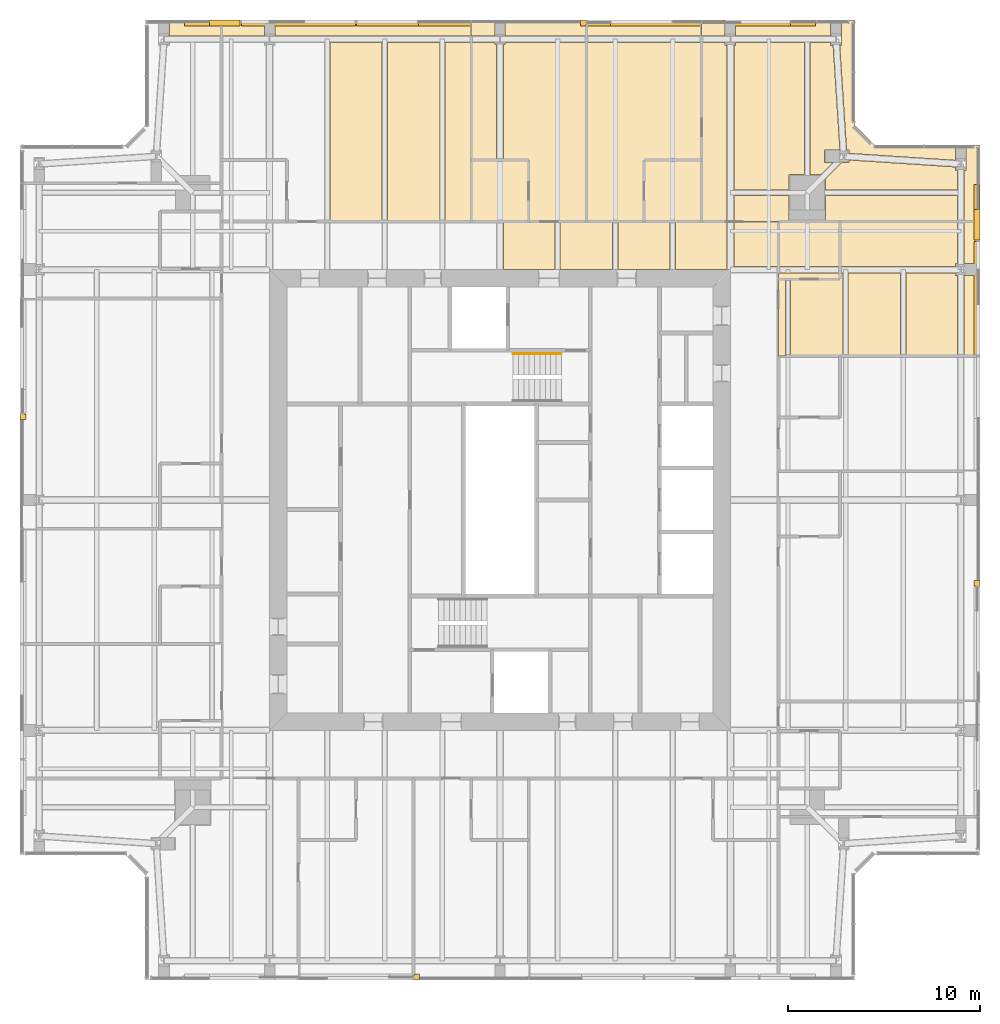
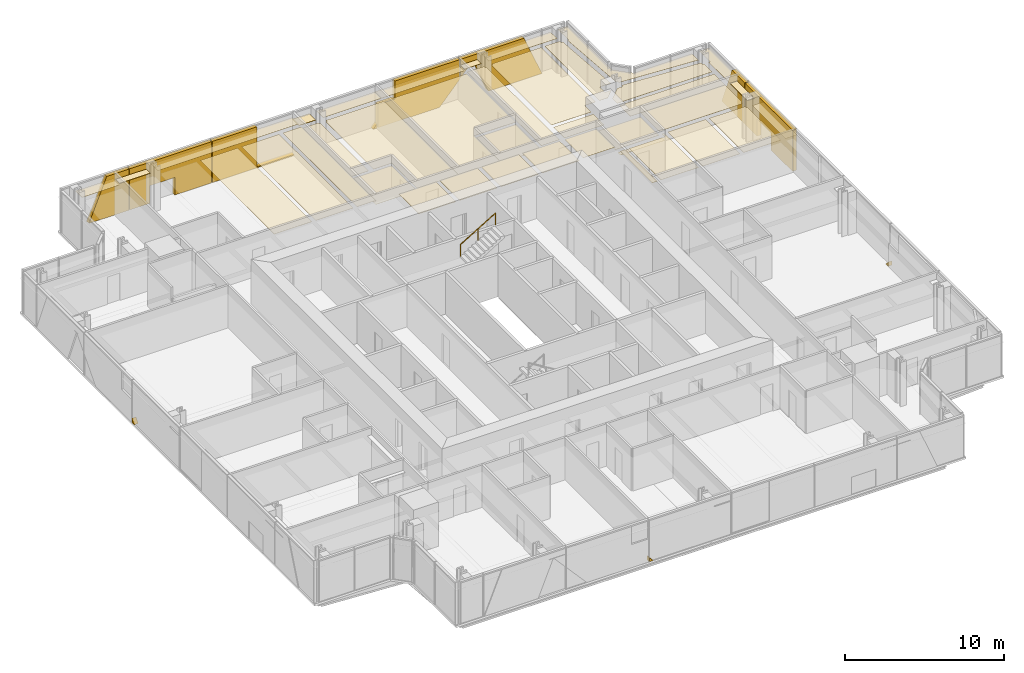
# One storey, part 18 of 18: 49 coverings, 1 railing.
"""IFC4 building model written with IfcOpenShell, lengths in metres."""

from ifc_helpers import new_model, si_unit, direction, frame, origin, origin_2d, place, context, subcontext, project, spatial, polyline, circle, outline, extrude, material, layer, layer_set, type_object, element, save


model = new_model("IFC4")

# Units and contexts
model_context = context("Model", 3, precision=1e-05, world=origin(), true_north=direction((0.0, 1.0)))
body_context = subcontext(model_context, "Body", "Model", "MODEL_VIEW")
ifc_project = project(units=[si_unit("LENGTHUNIT", "METRE"), si_unit("AREAUNIT", "SQUARE_METRE"), si_unit("VOLUMEUNIT", "CUBIC_METRE"), si_unit("PLANEANGLEUNIT", "RADIAN"), si_unit("MASSUNIT", "GRAM", prefix="KILO")], contexts=[model_context])

# Site, building, storey
site_placement = place(None, origin())
site = spatial("IfcSite", under=ifc_project, at=site_placement, CompositionType="ELEMENT")
building_placement = place(site_placement, origin())
building = spatial("IfcBuilding", under=site, at=building_placement, Name="Fenwick Lantern Interchange", CompositionType="ELEMENT")
storey_placement = place(building_placement, frame((0.0, 0.0, 290.0)))
storey = spatial("IfcBuildingStorey", under=building, at=storey_placement, Name="L70", CompositionType="ELEMENT", Elevation=290.0)

# Coverings
ifc_material_1 = material(Name="Granite cladding, warm grey flamed finish, on aluminium carrier frame", Category="masonry")
ifc_layer_1 = layer(ifc_material_1, 0.300048828125)
ifc_layer_set_1 = layer_set([ifc_layer_1], Name="BRACE CASING PANEL 300")
covering_type_1 = type_object("IfcCoveringType", Name="BRACE CASING PANEL 300", PredefinedType="CLADDING", material=ifc_layer_set_1)
for number, where, z_axis, x_axis, name in (
    (1, (6.60009765625, 0.10009765625, 0.0), (0.0, 0.0, 1.0), (1.0, 0.0, 0.0), "Brace casing 01 bay 03a"),
    (2, (49.89990234375, 6.60009765625, 0.0), (0.0, 0.0, 1.0), (0.0, 1.0, 0.0), "Brace casing 05 bay 03a"),
):
    element("IfcCovering", number, at=place(storey_placement, frame(where, z_axis=z_axis, x_axis=x_axis)), inside=storey, type_object=covering_type_1, Name=name, PredefinedType="CLADDING", context=body_context, shape_type="SweptSolid", body=[
        extrude(outline(polyline([(13.929931640625, 0.0), (14.218994140625, 0.0), (13.929931640625, 0.32470703125), (13.929931640625, 0.0)])), frame((0.0, 0.2099609375, 0.0), z_axis=(0.0, -1.0, 0.0), x_axis=(1.0, 0.0, 0.0)), (0.0, 0.0, 1.0), 0.300048828125),
    ])
covering_1_placement = place(storey_placement, frame((49.89990234375, 6.60009765625, 0.0), z_axis=(0.0, 0.0, 1.0), x_axis=(0.0, 1.0, 0.0)))
element("IfcCovering", 3, at=covering_1_placement, inside=storey, type_object=covering_type_1, Name="Brace casing 05 bay 05a", PredefinedType="CLADDING", context=body_context, shape_type="SweptSolid", body=[
    extrude(outline(polyline([(25.929931640625, 0.0), (28.599853515625, 0.0), (28.599853515625, 1.348388671875), (30.385009765625, 1.348388671875), (30.385009765625, 0.0), (31.8701171875, 0.0), (31.8701171875, 3.14990234375), (25.929931640625, 3.14990234375), (25.929931640625, 0.0)])), frame((0.0, 0.2099609375, 0.0), z_axis=(0.0, -1.0, 0.0), x_axis=(1.0, 0.0, 0.0)), (0.0, 0.0, 1.0), 0.300048828125),
])
covering_2_placement = place(storey_placement, frame((49.89990234375, 6.60009765625, 0.0), z_axis=(0.0, 0.0, 1.0), x_axis=(0.0, 1.0, 0.0)))
element("IfcCovering", 4, at=covering_2_placement, inside=storey, type_object=covering_type_1, Name="Brace casing 05 bay 06a", PredefinedType="CLADDING", context=body_context, shape_type="SweptSolid", body=[
    extrude(outline(polyline([(31.929931640625, 0.0), (34.8232421875, 0.0), (33.53857421875, 3.14990234375), (31.929931640625, 3.14990234375), (31.929931640625, 0.0)])), frame((0.0, 0.2099609375, 0.0), z_axis=(0.0, -1.0, 0.0), x_axis=(1.0, 0.0, 0.0)), (0.0, 0.0, 1.0), 0.300048828125),
])
covering_3_placement = place(storey_placement, frame((43.39990234375, 49.89990234375, 0.0), z_axis=(0.0, 0.0, 1.0), x_axis=(-1.0, 0.0, 0.0)))
element("IfcCovering", 5, at=covering_3_placement, inside=storey, type_object=covering_type_1, Name="Brace casing 09 bay 01a", PredefinedType="CLADDING", context=body_context, shape_type="SweptSolid", body=[
    extrude(outline(polyline([(1.9765625, 0.0), (5.864501953125, 0.0), (6.975830078125, 2.724365234375), (7.8701171875, 1.719482421875), (7.8701171875, 3.14990234375), (3.261474609375, 3.14990234375), (1.9765625, 0.0)])), frame((0.0, 0.2099609375, 0.0), z_axis=(0.0, -1.0, 0.0), x_axis=(1.0, 0.0, 0.0)), (0.0, 0.0, 1.0), 0.300048828125),
])
covering_4_placement = place(storey_placement, frame((43.39990234375, 49.89990234375, 0.0), z_axis=(0.0, 0.0, 1.0), x_axis=(-1.0, 0.0, 0.0)))
element("IfcCovering", 6, at=covering_4_placement, inside=storey, type_object=covering_type_1, Name="Brace casing 09 bay 02a", PredefinedType="CLADDING", context=body_context, shape_type="SweptSolid", body=[
    extrude(outline(polyline([(9.400146484375, 0.0), (13.8701171875, 0.0), (13.8701171875, 1.7734375), (12.640869140625, 1.7734375), (12.640869140625, 3.14990234375), (7.929931640625, 3.14990234375), (7.929931640625, 1.652099609375), (9.400146484375, 0.0)])), frame((0.0, 0.2099609375, 0.0), z_axis=(0.0, -1.0, 0.0), x_axis=(1.0, 0.0, 0.0)), (0.0, 0.0, 1.0), 0.300048828125),
])
covering_5_placement = place(storey_placement, frame((43.39990234375, 49.89990234375, 0.0), z_axis=(0.0, 0.0, 1.0), x_axis=(-1.0, 0.0, 0.0)))
element("IfcCovering", 7, at=covering_5_placement, inside=storey, type_object=covering_type_1, Name="Brace casing 09 bay 03a", PredefinedType="CLADDING", context=body_context, shape_type="SweptSolid", body=[
    extrude(outline(polyline([(13.929931640625, 0.0), (14.218994140625, 0.0), (13.929931640625, 0.32470703125), (13.929931640625, 0.0)])), frame((0.0, 0.2099609375, 0.0), z_axis=(0.0, -1.0, 0.0), x_axis=(1.0, 0.0, 0.0)), (0.0, 0.0, 1.0), 0.300048828125),
])
covering_6_placement = place(storey_placement, frame((43.39990234375, 49.89990234375, 0.0), z_axis=(0.0, 0.0, 1.0), x_axis=(-1.0, 0.0, 0.0)))
element("IfcCovering", 8, at=covering_6_placement, inside=storey, type_object=covering_type_1, Name="Brace casing 09 bay 04a", PredefinedType="CLADDING", context=body_context, shape_type="SweptSolid", body=[
    extrude(outline(polyline([(19.929931640625, 0.0), (25.8701171875, 0.0), (25.8701171875, 3.14990234375), (22.655029296875, 3.14990234375), (22.655029296875, 0.083251953125), (19.929931640625, 0.083251953125), (19.929931640625, 0.0)])), frame((0.0, 0.2099609375, 0.0), z_axis=(0.0, -1.0, 0.0), x_axis=(1.0, 0.0, 0.0)), (0.0, 0.0, 1.0), 0.300048828125),
])
covering_7_placement = place(storey_placement, frame((43.39990234375, 49.89990234375, 0.0), z_axis=(0.0, 0.0, 1.0), x_axis=(-1.0, 0.0, 0.0)))
element("IfcCovering", 9, at=covering_7_placement, inside=storey, type_object=covering_type_1, Name="Brace casing 09 bay 05a", PredefinedType="CLADDING", context=body_context, shape_type="SweptSolid", body=[
    extrude(outline(polyline([(25.929931640625, 0.0), (28.599853515625, 0.0), (28.599853515625, 1.348388671875), (30.385009765625, 1.348388671875), (30.385009765625, 0.0), (31.8701171875, 0.0), (31.8701171875, 3.14990234375), (25.929931640625, 3.14990234375), (25.929931640625, 0.0)])), frame((0.0, 0.2099609375, 0.0), z_axis=(0.0, -1.0, 0.0), x_axis=(1.0, 0.0, 0.0)), (0.0, 0.0, 1.0), 0.300048828125),
])
covering_8_placement = place(storey_placement, frame((43.39990234375, 49.89990234375, 0.0), z_axis=(0.0, 0.0, 1.0), x_axis=(-1.0, 0.0, 0.0)))
element("IfcCovering", 10, at=covering_8_placement, inside=storey, type_object=covering_type_1, Name="Brace casing 09 bay 06a", PredefinedType="CLADDING", context=body_context, shape_type="SweptSolid", body=[
    extrude(outline(polyline([(31.929931640625, 0.0), (34.8232421875, 0.0), (33.53857421875, 3.14990234375), (31.929931640625, 3.14990234375), (31.929931640625, 0.0)])), frame((0.0, 0.2099609375, 0.0), z_axis=(0.0, -1.0, 0.0), x_axis=(1.0, 0.0, 0.0)), (0.0, 0.0, 1.0), 0.300048828125),
])
covering_9_placement = place(storey_placement, frame((0.10009765625, 43.39990234375, 0.0), z_axis=(0.0, 0.0, 1.0), x_axis=(0.0, -1.0, 0.0)))
element("IfcCovering", 11, at=covering_9_placement, inside=storey, type_object=covering_type_1, Name="Brace casing 13 bay 03a", PredefinedType="CLADDING", context=body_context, shape_type="SweptSolid", body=[
    extrude(outline(polyline([(13.929931640625, 0.0), (14.218994140625, 0.0), (13.929931640625, 0.32470703125), (13.929931640625, 0.0)])), frame((0.0, 0.2099609375, 0.0), z_axis=(0.0, -1.0, 0.0), x_axis=(1.0, 0.0, 0.0)), (0.0, 0.0, 1.0), 0.300048828125),
])

# Railing
ifc_material_2 = material(Name="Stainless steel handrail", Category="steel")
railing_type = type_object("IfcRailingType", Name="HANDRAIL 900", PredefinedType="HANDRAIL", material=ifc_material_2)
railing_placement = place(storey_placement, frame((25.679931640625, 32.6259765625, 1.8701171875)))
element("IfcRailing", 12, at=railing_placement, inside=storey, type_object=railing_type, Name="L70/STAIR/ST2/HR2", PredefinedType="HANDRAIL", context=body_context, shape_type="SweptSolid", body=[
    extrude(circle(Radius=0.02392578125, at=origin_2d()), frame((0.0, 0.0, 0.8759765625), z_axis=(0.854821627497, 0.0, 0.518921945155), x_axis=(0.0, 1.0, 0.0)), (0.0, 0.0, 1.0), 2.947998046875),
    extrude(circle(Radius=0.02099609375, at=origin_2d()), origin(), (0.0, 0.0, 1.0), 0.851806640625),
    extrude(circle(Radius=0.02099609375, at=origin_2d()), frame((1.260009765625, 0.0, 0.764892578125)), (0.0, 0.0, 1.0), 0.851806640625),
    extrude(circle(Radius=0.02099609375, at=origin_2d()), frame((2.52001953125, 0.0, 1.52978515625)), (0.0, 0.0, 1.0), 0.851806640625),
])

# Coverings
ifc_material_3 = material(Name="Moisture resistant gypsum board on suspended frame, painted")
ifc_layer_2 = layer(ifc_material_3, 0.014892578125)
ifc_layer_set_2 = layer_set([ifc_layer_2], Name="MOISTURE RESISTANT CEILING 15")
covering_type_2 = type_object("IfcCoveringType", Name="MOISTURE RESISTANT CEILING 15", PredefinedType="CEILING", material=ifc_layer_set_2)
covering_10_placement = place(storey_placement, frame((0.0, 0.0, 2.39990234375)))
element("IfcCovering", 13, at=covering_10_placement, inside=storey, type_object=covering_type_2, Name="En-suite 7007 ceiling", PredefinedType="CEILING", context=body_context, shape_type="SweptSolid", body=[
    extrude(outline(polyline([(39.5, 39.5), (39.5, 37.166015625), (42.699951171875, 37.166015625), (42.699951171875, 39.5), (39.5, 39.5)])), origin(), (0.0, 0.0, 1.0), 0.01513671875),
])
covering_11_placement = place(storey_placement, frame((0.0, 0.0, 2.39990234375)))
element("IfcCovering", 14, at=covering_11_placement, inside=storey, type_object=covering_type_2, Name="En-suite 7007 ceiling", PredefinedType="CEILING", context=body_context, shape_type="SweptSolid", body=[
    extrude(outline(polyline([(42.699951171875, 36.5), (42.699951171875, 36.833984375), (39.5, 36.833984375), (39.5, 36.5), (42.699951171875, 36.5)])), origin(), (0.0, 0.0, 1.0), 0.01513671875),
])
covering_12_placement = place(storey_placement, frame((0.0, 0.0, 2.39990234375)))
element("IfcCovering", 15, at=covering_12_placement, inside=storey, type_object=covering_type_2, Name="En-suite 7008 ceiling", PredefinedType="CEILING", context=body_context, shape_type="SweptSolid", body=[
    extrude(outline(polyline([(35.5, 42.699951171875), (32.5, 42.699951171875), (32.5, 39.5), (35.5, 39.5), (35.5, 42.699951171875)])), origin(), (0.0, 0.0, 1.0), 0.01513671875),
])
covering_13_placement = place(storey_placement, frame((0.0, 0.0, 2.39990234375)))
element("IfcCovering", 16, at=covering_13_placement, inside=storey, type_object=covering_type_2, Name="En-suite 7009 ceiling", PredefinedType="CEILING", context=body_context, shape_type="SweptSolid", body=[
    extrude(outline(polyline([(26.5, 42.699951171875), (23.5, 42.699951171875), (23.5, 39.5), (26.5, 39.5), (26.5, 42.699951171875)])), origin(), (0.0, 0.0, 1.0), 0.01513671875),
])
ifc_material_4 = material(Name="Gypsum plasterboard on suspended frame, painted")
ifc_layer_3 = layer(ifc_material_4, 0.014892578125)
ifc_layer_set_3 = layer_set([ifc_layer_3], Name="PLASTERBOARD CEILING 15")
covering_type_3 = type_object("IfcCoveringType", Name="PLASTERBOARD CEILING 15", PredefinedType="CEILING", material=ifc_layer_set_3)
covering_14_placement = place(storey_placement, frame((0.0, 0.0, 2.60009765625)))
element("IfcCovering", 17, at=covering_14_placement, inside=storey, type_object=covering_type_3, Name="Corridor ceiling", PredefinedType="CEILING", context=body_context, shape_type="SweptSolid", body=[
    extrude(outline(polyline([(30.865478515625, 39.5), (28.134521484375, 39.5), (28.134521484375, 37.0), (30.865478515625, 37.0), (30.865478515625, 39.5)])), origin(), (0.0, 0.0, 1.0), 0.014892578125),
])
covering_15_placement = place(storey_placement, frame((0.0, 0.0, 2.60009765625)))
element("IfcCovering", 18, at=covering_15_placement, inside=storey, type_object=covering_type_3, Name="Corridor ceiling", PredefinedType="CEILING", context=body_context, shape_type="SweptSolid", body=[
    extrude(outline(polyline([(33.865478515625, 39.5), (31.134521484375, 39.5), (31.134521484375, 37.0), (33.865478515625, 37.0), (33.865478515625, 39.5)])), origin(), (0.0, 0.0, 1.0), 0.014892578125),
])
covering_16_placement = place(storey_placement, frame((0.0, 0.0, 2.60009765625)))
element("IfcCovering", 19, at=covering_16_placement, inside=storey, type_object=covering_type_3, Name="Corridor ceiling", PredefinedType="CEILING", context=body_context, shape_type="SweptSolid", body=[
    extrude(outline(polyline([(27.865478515625, 39.5), (25.183837890625, 39.5), (25.183837890625, 37.0), (27.865478515625, 37.0), (27.865478515625, 39.5)])), origin(), (0.0, 0.0, 1.0), 0.014892578125),
])
covering_17_placement = place(storey_placement, frame((0.0, 0.0, 2.60009765625)))
element("IfcCovering", 20, at=covering_17_placement, inside=storey, type_object=covering_type_3, Name="Corridor ceiling", PredefinedType="CEILING", context=body_context, shape_type="SweptSolid", body=[
    extrude(outline(polyline([(36.816162109375, 39.5), (34.134521484375, 39.5), (34.134521484375, 37.0), (36.816162109375, 37.0), (36.816162109375, 39.5)])), origin(), (0.0, 0.0, 1.0), 0.014892578125),
])
covering_18_placement = place(storey_placement, frame((0.0, 0.0, 2.60009765625)))
element("IfcCovering", 21, at=covering_18_placement, inside=storey, type_object=covering_type_3, Name="Corridor ceiling", PredefinedType="CEILING", context=body_context, shape_type="SweptSolid", body=[
    extrude(outline(polyline([(39.5, 39.5), (37.183837890625, 39.5), (37.183837890625, 37.166015625), (39.5, 37.166015625), (39.5, 39.5)])), origin(), (0.0, 0.0, 1.0), 0.014892578125),
])
covering_19_placement = place(storey_placement, frame((0.0, 0.0, 2.699951171875)))
element("IfcCovering", 22, at=covering_19_placement, inside=storey, type_object=covering_type_3, Name="Guest room 7007 ceiling", PredefinedType="CEILING", context=body_context, shape_type="SweptSolid", body=[
    extrude(outline(polyline([(48.72900390625, 37.3154296875), (48.82763671875, 37.3154296875), (48.82763671875, 39.5), (42.699951171875, 39.5), (42.699951171875, 37.166015625), (48.72900390625, 37.166015625), (48.72900390625, 37.3154296875)])), origin(), (0.0, 0.0, 1.0), 0.01513671875),
])
covering_20_placement = place(storey_placement, frame((0.0, 0.0, 2.699951171875)))
element("IfcCovering", 23, at=covering_20_placement, inside=storey, type_object=covering_type_3, Name="Guest room 7007 ceiling", PredefinedType="CEILING", context=body_context, shape_type="SweptSolid", body=[
    extrude(outline(polyline([(43.134521484375, 32.5), (45.865478515625, 32.5), (45.865478515625, 36.833984375), (43.134521484375, 36.833984375), (43.134521484375, 32.5)])), origin(), (0.0, 0.0, 1.0), 0.01513671875),
])
covering_21_placement = place(storey_placement, frame((0.0, 0.0, 2.699951171875)))
element("IfcCovering", 24, at=covering_21_placement, inside=storey, type_object=covering_type_3, Name="Guest room 7007 ceiling", PredefinedType="CEILING", context=body_context, shape_type="SweptSolid", body=[
    extrude(outline(polyline([(48.72900390625, 36.6845703125), (48.72900390625, 36.833984375), (46.134521484375, 36.833984375), (46.134521484375, 32.5), (48.82763671875, 32.5), (48.82763671875, 36.6845703125), (48.72900390625, 36.6845703125)])), origin(), (0.0, 0.0, 1.0), 0.01513671875),
])
covering_22_placement = place(storey_placement, frame((0.0, 0.0, 2.699951171875)))
element("IfcCovering", 25, at=covering_22_placement, inside=storey, type_object=covering_type_3, Name="Guest room 7007 ceiling", PredefinedType="CEILING", context=body_context, shape_type="SweptSolid", body=[
    extrude(outline(polyline([(40.134521484375, 32.5), (42.865478515625, 32.5), (42.865478515625, 36.833984375), (42.699951171875, 36.833984375), (42.699951171875, 36.5), (40.134521484375, 36.5), (40.134521484375, 32.5)])), origin(), (0.0, 0.0, 1.0), 0.01513671875),
])
covering_23_placement = place(storey_placement, frame((0.0, 0.0, 2.699951171875)))
element("IfcCovering", 26, at=covering_23_placement, inside=storey, type_object=covering_type_3, Name="Guest room 7007 ceiling", PredefinedType="CEILING", context=body_context, shape_type="SweptSolid", body=[
    extrude(outline(polyline([(50.0, 36.6845703125), (49.17236328125, 36.6845703125), (49.17236328125, 32.5), (50.0, 32.5), (50.0, 36.6845703125)])), origin(), (0.0, 0.0, 1.0), 0.01513671875),
])
covering_24_placement = place(storey_placement, frame((0.0, 0.0, 2.699951171875)))
element("IfcCovering", 27, at=covering_24_placement, inside=storey, type_object=covering_type_3, Name="Guest room 7007 ceiling", PredefinedType="CEILING", context=body_context, shape_type="SweptSolid", body=[
    extrude(outline(polyline([(49.17236328125, 37.3154296875), (50.0, 37.3154296875), (50.0, 39.5), (49.17236328125, 39.5), (49.17236328125, 37.3154296875)])), origin(), (0.0, 0.0, 1.0), 0.01513671875),
])
covering_25_placement = place(storey_placement, frame((0.0, 0.0, 2.699951171875)))
element("IfcCovering", 28, at=covering_25_placement, inside=storey, type_object=covering_type_3, Name="Guest room 7007 ceiling", PredefinedType="CEILING", context=body_context, shape_type="SweptSolid", body=[
    extrude(outline(polyline([(39.5, 32.5), (39.865478515625, 32.5), (39.865478515625, 36.5), (39.5, 36.5), (39.5, 32.5)])), origin(), (0.0, 0.0, 1.0), 0.01513671875),
])
covering_26_placement = place(storey_placement, frame((0.0, 0.0, 2.699951171875)))
element("IfcCovering", 29, at=covering_26_placement, inside=storey, type_object=covering_type_3, Name="Guest suite 7008 sitting room ceiling", PredefinedType="CEILING", context=body_context, shape_type="SweptSolid", body=[
    extrude(outline(polyline([(40.050048828125, 41.949951171875), (40.865478515625, 41.949951171875), (40.865478515625, 48.82763671875), (37.27099609375, 48.82763671875), (37.27099609375, 48.6845703125), (37.183837890625, 48.6845703125), (37.183837890625, 41.134521484375), (40.050048828125, 41.134521484375), (40.050048828125, 41.949951171875)])), origin(), (0.0, 0.0, 1.0), 0.01513671875),
])
covering_27_placement = place(storey_placement, frame((0.0, 0.0, 2.699951171875)))
element("IfcCovering", 30, at=covering_27_placement, inside=storey, type_object=covering_type_3, Name="Guest suite 7008 sitting room ceiling", PredefinedType="CEILING", context=body_context, shape_type="SweptSolid", body=[
    extrude(outline(polyline([(35.5, 39.5), (36.816162109375, 39.5), (36.816162109375, 48.6845703125), (36.72900390625, 48.6845703125), (36.72900390625, 48.82763671875), (35.5, 48.82763671875), (35.5, 39.5)])), origin(), (0.0, 0.0, 1.0), 0.01513671875),
])
covering_28_placement = place(storey_placement, frame((0.0, 0.0, 2.699951171875)))
element("IfcCovering", 31, at=covering_28_placement, inside=storey, type_object=covering_type_3, Name="Guest suite 7008 sitting room ceiling", PredefinedType="CEILING", context=body_context, shape_type="SweptSolid", body=[
    extrude(outline(polyline([(41.949951171875, 39.5), (48.82763671875, 39.5), (48.82763671875, 40.865478515625), (41.949951171875, 40.865478515625), (41.949951171875, 39.5)])), origin(), (0.0, 0.0, 1.0), 0.01513671875),
])
covering_29_placement = place(storey_placement, frame((0.0, 0.0, 2.699951171875)))
element("IfcCovering", 32, at=covering_29_placement, inside=storey, type_object=covering_type_3, Name="Guest suite 7008 sitting room ceiling", PredefinedType="CEILING", context=body_context, shape_type="SweptSolid", body=[
    extrude(outline(polyline([(41.949951171875, 41.733154296875), (41.949951171875, 41.134521484375), (48.82763671875, 41.134521484375), (48.82763671875, 42.16552734375), (48.72265625, 42.16552734375), (48.72265625, 42.345458984375), (43.17724609375, 42.708984375), (43.17724609375, 42.5654296875), (42.782470703125, 42.5654296875), (41.949951171875, 41.733154296875)])), origin(), (0.0, 0.0, 1.0), 0.01513671875),
])
covering_30_placement = place(storey_placement, frame((0.0, 0.0, 2.699951171875)))
element("IfcCovering", 33, at=covering_30_placement, inside=storey, type_object=covering_type_3, Name="Guest suite 7008 sitting room ceiling", PredefinedType="CEILING", context=body_context, shape_type="SweptSolid", body=[
    extrude(outline(polyline([(41.134521484375, 41.949951171875), (41.733154296875, 41.949951171875), (42.3486328125, 42.5654296875), (41.89990234375, 42.5654296875), (41.89990234375, 43.234375), (42.705322265625, 43.234375), (42.34912109375, 48.66552734375), (42.22265625, 48.66552734375), (42.22265625, 48.82763671875), (41.134521484375, 48.82763671875), (41.134521484375, 41.949951171875)])), origin(), (0.0, 0.0, 1.0), 0.01513671875),
])
covering_31_placement = place(storey_placement, frame((0.0, 0.0, 2.699951171875)))
element("IfcCovering", 34, at=covering_31_placement, inside=storey, type_object=covering_type_3, Name="Guest suite 7008 sitting room ceiling", PredefinedType="CEILING", context=body_context, shape_type="SweptSolid", body=[
    extrude(outline(polyline([(42.77734375, 48.66552734375), (42.69482421875, 48.66552734375), (43.05078125, 43.234375), (43.17724609375, 43.234375), (43.17724609375, 43.0546875), (48.72265625, 42.69091796875), (48.72265625, 43.5), (44.5, 43.5), (43.5, 44.5), (43.5, 50.0), (42.77734375, 50.0), (42.77734375, 48.66552734375)])), origin(), (0.0, 0.0, 1.0), 0.01513671875),
])
covering_32_placement = place(storey_placement, frame((0.0, 0.0, 2.699951171875)))
element("IfcCovering", 35, at=covering_32_placement, inside=storey, type_object=covering_type_3, Name="Guest suite 7008 sitting room ceiling", PredefinedType="CEILING", context=body_context, shape_type="SweptSolid", body=[
    extrude(outline(polyline([(37.27099609375, 50.0), (37.27099609375, 49.17236328125), (42.22265625, 49.17236328125), (42.22265625, 50.0), (37.27099609375, 50.0)])), origin(), (0.0, 0.0, 1.0), 0.01513671875),
])
covering_33_placement = place(storey_placement, frame((0.0, 0.0, 2.699951171875)))
element("IfcCovering", 36, at=covering_33_placement, inside=storey, type_object=covering_type_3, Name="Guest suite 7008 sitting room ceiling", PredefinedType="CEILING", context=body_context, shape_type="SweptSolid", body=[
    extrude(outline(polyline([(40.050048828125, 39.5), (40.050048828125, 40.865478515625), (37.183837890625, 40.865478515625), (37.183837890625, 39.5), (40.050048828125, 39.5)])), origin(), (0.0, 0.0, 1.0), 0.01513671875),
])
covering_34_placement = place(storey_placement, frame((0.0, 0.0, 2.699951171875)))
element("IfcCovering", 37, at=covering_34_placement, inside=storey, type_object=covering_type_3, Name="Guest suite 7008 sitting room ceiling", PredefinedType="CEILING", context=body_context, shape_type="SweptSolid", body=[
    extrude(outline(polyline([(49.27734375, 43.5), (49.27734375, 42.16552734375), (49.17236328125, 42.16552734375), (49.17236328125, 39.5), (50.0, 39.5), (50.0, 43.5), (49.27734375, 43.5)])), origin(), (0.0, 0.0, 1.0), 0.01513671875),
])
covering_35_placement = place(storey_placement, frame((0.0, 0.0, 2.699951171875)))
element("IfcCovering", 38, at=covering_35_placement, inside=storey, type_object=covering_type_3, Name="Guest suite 7008 sitting room ceiling", PredefinedType="CEILING", context=body_context, shape_type="SweptSolid", body=[
    extrude(outline(polyline([(35.5, 50.0), (35.5, 49.17236328125), (36.72900390625, 49.17236328125), (36.72900390625, 50.0), (35.5, 50.0)])), origin(), (0.0, 0.0, 1.0), 0.01513671875),
])
covering_36_placement = place(storey_placement, frame((0.0, 0.0, 2.57275390625)))
element("IfcCovering", 39, at=covering_36_placement, inside=storey, type_object=covering_type_3, Name="Guest suite 7008 bedroom ceiling", PredefinedType="CEILING", context=body_context, shape_type="SweptSolid", body=[
    extrude(outline(polyline([(29.5, 48.82763671875), (29.5, 39.5), (32.5, 39.5), (32.5, 42.699951171875), (35.5, 42.699951171875), (35.5, 48.82763671875), (29.5, 48.82763671875)])), origin(), (0.0, 0.0, 1.0), 0.01513671875),
])
covering_37_placement = place(storey_placement, frame((0.0, 0.0, 2.57275390625)))
element("IfcCovering", 40, at=covering_37_placement, inside=storey, type_object=covering_type_3, Name="Guest suite 7008 bedroom ceiling", PredefinedType="CEILING", context=body_context, shape_type="SweptSolid", body=[
    extrude(outline(polyline([(29.5, 50.0), (29.5, 49.17236328125), (35.5, 49.17236328125), (35.5, 50.0), (29.5, 50.0)])), origin(), (0.0, 0.0, 1.0), 0.01513671875),
])
covering_38_placement = place(storey_placement, frame((0.0, 0.0, 2.57275390625)))
element("IfcCovering", 41, at=covering_38_placement, inside=storey, type_object=covering_type_3, Name="Guest room 7009 ceiling", PredefinedType="CEILING", context=body_context, shape_type="SweptSolid", body=[
    extrude(outline(polyline([(25.26220703125, 48.71240234375), (25.183837890625, 48.71240234375), (25.183837890625, 42.699951171875), (26.5, 42.699951171875), (26.5, 39.5), (29.5, 39.5), (29.5, 48.82763671875), (25.26220703125, 48.82763671875), (25.26220703125, 48.71240234375)])), origin(), (0.0, 0.0, 1.0), 0.01513671875),
])
covering_39_placement = place(storey_placement, frame((0.0, 0.0, 2.57275390625)))
element("IfcCovering", 42, at=covering_39_placement, inside=storey, type_object=covering_type_3, Name="Guest room 7009 ceiling", PredefinedType="CEILING", context=body_context, shape_type="SweptSolid", body=[
    extrude(outline(polyline([(24.73779296875, 48.71240234375), (24.73779296875, 48.82763671875), (23.5, 48.82763671875), (23.5, 42.699951171875), (24.816162109375, 42.699951171875), (24.816162109375, 48.71240234375), (24.73779296875, 48.71240234375)])), origin(), (0.0, 0.0, 1.0), 0.01513671875),
])
covering_40_placement = place(storey_placement, frame((0.0, 0.0, 2.57275390625)))
element("IfcCovering", 43, at=covering_40_placement, inside=storey, type_object=covering_type_3, Name="Guest room 7009 ceiling", PredefinedType="CEILING", context=body_context, shape_type="SweptSolid", body=[
    extrude(outline(polyline([(25.26220703125, 50.0), (25.26220703125, 49.17236328125), (29.5, 49.17236328125), (29.5, 50.0), (25.26220703125, 50.0)])), origin(), (0.0, 0.0, 1.0), 0.01513671875),
])
covering_41_placement = place(storey_placement, frame((0.0, 0.0, 2.57275390625)))
element("IfcCovering", 44, at=covering_41_placement, inside=storey, type_object=covering_type_3, Name="Guest room 7009 ceiling", PredefinedType="CEILING", context=body_context, shape_type="SweptSolid", body=[
    extrude(outline(polyline([(24.73779296875, 49.17236328125), (24.73779296875, 50.0), (23.5, 50.0), (23.5, 49.17236328125), (24.73779296875, 49.17236328125)])), origin(), (0.0, 0.0, 1.0), 0.01513671875),
])
covering_42_placement = place(storey_placement, frame((0.0, 0.0, 2.699951171875)))
element("IfcCovering", 45, at=covering_42_placement, inside=storey, type_object=covering_type_3, Name="Guest suite 7010 ceiling", PredefinedType="CEILING", context=body_context, shape_type="SweptSolid", body=[
    extrude(outline(polyline([(16.134521484375, 39.5), (18.865478515625, 39.5), (18.865478515625, 48.82763671875), (16.134521484375, 48.82763671875), (16.134521484375, 39.5)])), origin(), (0.0, 0.0, 1.0), 0.01513671875),
])
covering_43_placement = place(storey_placement, frame((0.0, 0.0, 2.699951171875)))
element("IfcCovering", 46, at=covering_43_placement, inside=storey, type_object=covering_type_3, Name="Guest suite 7010 ceiling", PredefinedType="CEILING", context=body_context, shape_type="SweptSolid", body=[
    extrude(outline(polyline([(19.134521484375, 39.5), (21.865478515625, 39.5), (21.865478515625, 48.82763671875), (19.134521484375, 48.82763671875), (19.134521484375, 39.5)])), origin(), (0.0, 0.0, 1.0), 0.01513671875),
])
covering_44_placement = place(storey_placement, frame((0.0, 0.0, 2.699951171875)))
element("IfcCovering", 47, at=covering_44_placement, inside=storey, type_object=covering_type_3, Name="Guest suite 7010 ceiling", PredefinedType="CEILING", context=body_context, shape_type="SweptSolid", body=[
    extrude(outline(polyline([(23.5, 39.5), (23.5, 48.82763671875), (22.134521484375, 48.82763671875), (22.134521484375, 39.5), (23.5, 39.5)])), origin(), (0.0, 0.0, 1.0), 0.01513671875),
])
covering_45_placement = place(storey_placement, frame((0.0, 0.0, 2.699951171875)))
element("IfcCovering", 48, at=covering_45_placement, inside=storey, type_object=covering_type_3, Name="Guest suite 7010 ceiling", PredefinedType="CEILING", context=body_context, shape_type="SweptSolid", body=[
    extrude(outline(polyline([(13.27099609375, 50.0), (13.27099609375, 49.17236328125), (23.5, 49.17236328125), (23.5, 50.0), (13.27099609375, 50.0)])), origin(), (0.0, 0.0, 1.0), 0.01513671875),
])
covering_46_placement = place(storey_placement, frame((0.0, 0.0, 2.699951171875)))
element("IfcCovering", 49, at=covering_46_placement, inside=storey, type_object=covering_type_3, Name="Guest suite 7010 ceiling", PredefinedType="CEILING", context=body_context, shape_type="SweptSolid", body=[
    extrude(outline(polyline([(12.72900390625, 49.17236328125), (12.72900390625, 50.0), (10.5, 50.0), (10.5, 49.17236328125), (12.72900390625, 49.17236328125)])), origin(), (0.0, 0.0, 1.0), 0.01513671875),
])
covering_47_placement = place(storey_placement, frame((0.0, 0.0, 2.57275390625)))
element("IfcCovering", 50, at=covering_47_placement, inside=storey, type_object=covering_type_3, Name="Guest suite 7011 sitting room ceiling", PredefinedType="CEILING", context=body_context, shape_type="SweptSolid", body=[
    extrude(outline(polyline([(7.77734375, 50.0), (7.77734375, 49.17236328125), (10.5, 49.17236328125), (10.5, 50.0), (7.77734375, 50.0)])), origin(), (0.0, 0.0, 1.0), 0.01513671875),
])

save(model, "model.ifc")
